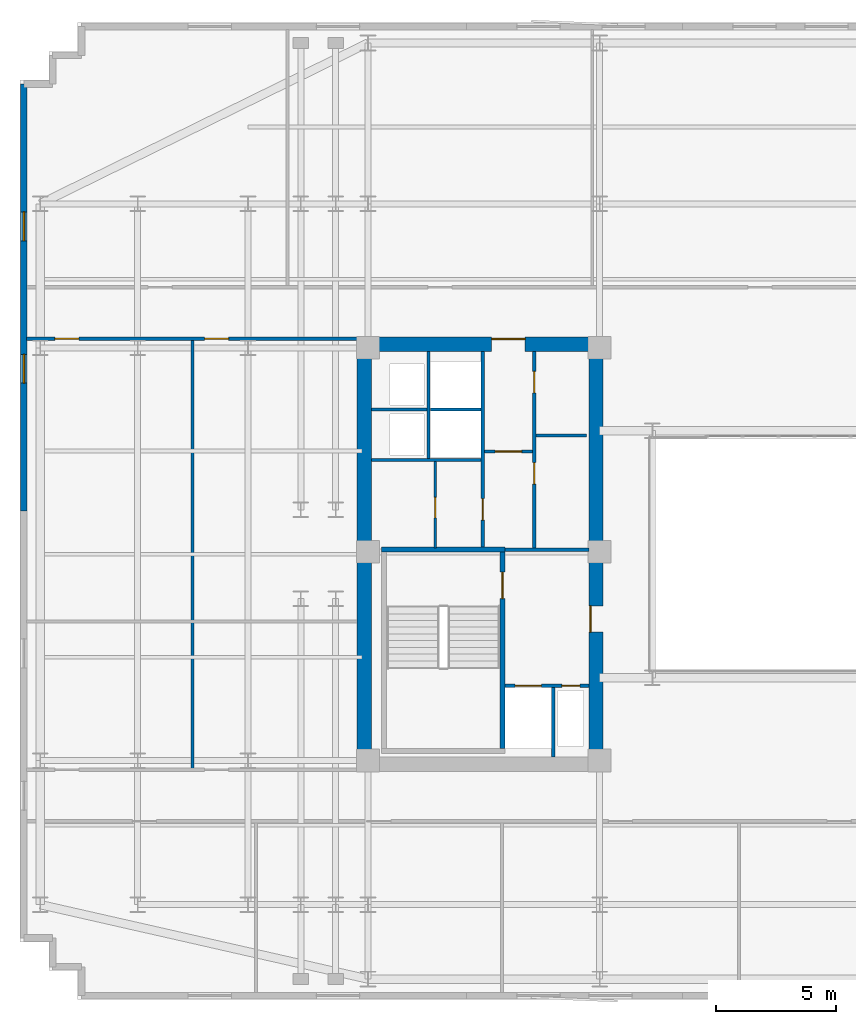
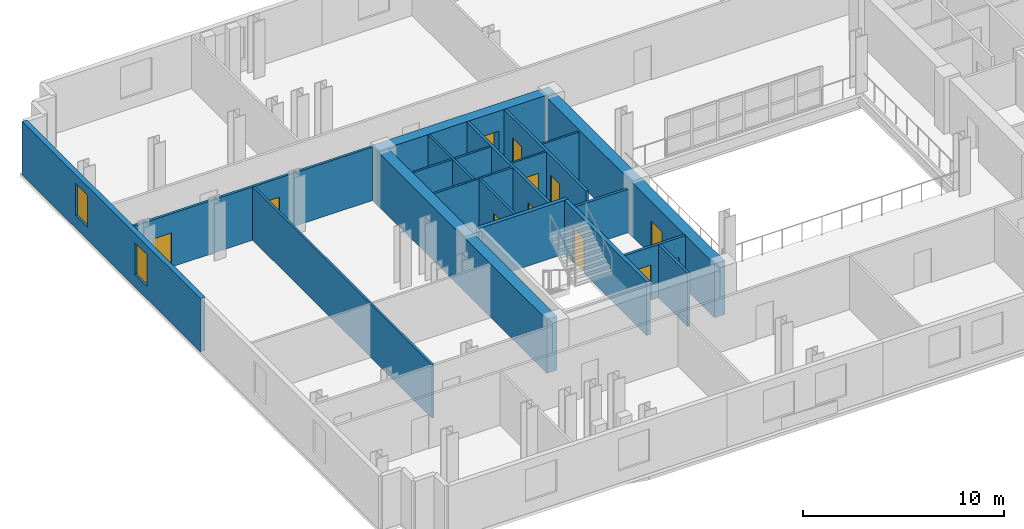
# One storey, part 7 of 12: 20 walls, 12 doors, 2 windows, 14 openings.
"""IFC4 building model written with IfcOpenShell, lengths in metres."""

from ifc_helpers import new_model, si_unit, direction, frame, frame_2d, origin, place, context, subcontext, project, spatial, rectangle, extrude, material, layer, layer_set, type_object, element, fill, save


model = new_model("IFC4")

# Units and contexts
model_context = context("Model", 3, precision=1e-05, world=origin(), true_north=direction((0.0, 1.0)))
body_context = subcontext(model_context, "Body", "Model", "MODEL_VIEW")
ifc_project = project(units=[si_unit("LENGTHUNIT", "METRE"), si_unit("AREAUNIT", "SQUARE_METRE"), si_unit("VOLUMEUNIT", "CUBIC_METRE"), si_unit("PLANEANGLEUNIT", "RADIAN"), si_unit("MASSUNIT", "GRAM", prefix="KILO")], contexts=[model_context])

# Site, building, storey
site_placement = place(None, origin())
site = spatial("IfcSite", under=ifc_project, at=site_placement, CompositionType="ELEMENT")
building_placement = place(site_placement, origin())
building = spatial("IfcBuilding", under=site, at=building_placement, Name="Velakula Bourse", CompositionType="ELEMENT")
storey_placement = place(building_placement, frame((0.0, 0.0, 134.64990234375)))
storey = spatial("IfcBuildingStorey", under=building, at=storey_placement, Name="L36", CompositionType="ELEMENT", Elevation=134.64990234375)

# Wall, opening, door
ifc_material_1 = material(Name="Concrete M50 (fck 50 MPa)", Category="concrete")
ifc_layer_1 = layer(ifc_material_1, 0.2099609375, Name="Concrete M50 (fck 50 MPa)", Category="concrete")
ifc_layer_set_1 = layer_set([ifc_layer_1], Name="Concrete M50 (fck 50 MPa)")
wall_type_1 = type_object("IfcWallType", Name="WL-CORE-210", PredefinedType="SHEAR", material=ifc_layer_set_1)
wall_1_placement = place(storey_placement, frame((-12.9951171875, -8.10009765625, 0.0), z_axis=(0.0, 0.0, 1.0), x_axis=(0.0, 1.0, 0.0)))
wall_1 = element("IfcWall", 1, at=wall_1_placement, inside=storey, type_object=wall_type_1, Name="L36 Core W Stairwell Shear Wall IN", PredefinedType="SHEAR", context=body_context, shape_type="SweptSolid", body=[
    extrude(rectangle(XDim=8.2001953125, YDim=0.2099609375, at=frame_2d((4.10009765625, 0.0))), origin(), (0.0, 0.0, 1.0), 3.27001953125),
])
opening_1_placement = place(wall_1_placement, frame((6.25, 0.0, 0.0)))
opening_1 = element("IfcOpeningElement", 2, at=opening_1_placement, cuts=wall_1, Name="Opening D-STW1", PredefinedType="OPENING", context=body_context, shape_type="SweptSolid", body=[
    extrude(rectangle(XDim=1.10009765625, YDim=2.14990234375, at=frame_2d((0.550048828125, 1.074951171875))), frame((0.0, 0.114990234375, 0.0), z_axis=(0.0, -1.0, 0.0), x_axis=(1.0, 0.0, 0.0)), (0.0, 0.0, 1.0), 0.22998046875),
])
ifc_material_2 = material(Name="Galvanised painted hollow steel fire door", Category="steel")
door_type_1 = type_object("IfcDoorType", Name="DR-FD120-1100x2150", OperationType="NOTDEFINED", PredefinedType="DOOR", material=ifc_material_2)
door_1_placement = place(opening_1_placement, origin())
door_1 = element("IfcDoor", 3, at=door_1_placement, inside=storey, type_object=door_type_1, Name="L36 Stair ST-W1 Fire Door", OperationType="SINGLE_SWING_LEFT", OverallHeight=2.14990234375, OverallWidth=1.10009765625, PredefinedType="DOOR", context=body_context, shape_type="SweptSolid", body=[
    extrude(rectangle(XDim=1.10009765625, YDim=2.14990234375, at=frame_2d((0.550048828125, 1.074951171875))), frame((0.0, 0.02490234375, 0.0), z_axis=(0.0, -1.0, 0.0), x_axis=(1.0, 0.0, 0.0)), (0.0, 0.0, 1.0), 0.050048828125),
])
fill(opening_1, door_1)

# Wall
wall_2_placement = place(storey_placement, frame((-12.889892578125, 0.205078125, 0.0), z_axis=(0.0, 0.0, 1.0), x_axis=(-1.0, 0.0, 0.0)))
element("IfcWall", 4, at=wall_2_placement, inside=storey, type_object=wall_type_1, Name="L36 Core W Stairwell Shear Wall N", PredefinedType="SHEAR", context=body_context, shape_type="SweptSolid", body=[
    extrude(rectangle(XDim=5.14013671875, YDim=0.2099609375, at=frame_2d((2.570068359375, 0.0))), origin(), (0.0, 0.0, 1.0), 3.27001953125),
])

# Wall, opening, door
ifc_material_3 = material(Name="Concrete M70 (fck 70 MPa)", Category="concrete")
ifc_layer_2 = layer(ifc_material_3, 0.60009765625, Name="Concrete M70 (fck 70 MPa)", Category="concrete")
ifc_layer_set_2 = layer_set([ifc_layer_2], Name="Concrete M70 (fck 70 MPa)")
wall_type_2 = type_object("IfcWallType", Name="WL-CORE-600", PredefinedType="SHEAR", material=ifc_layer_set_2)
wall_3_placement = place(storey_placement, frame((-19.050048828125, 8.75, 0.0), z_axis=(0.0, 0.0, 1.0), x_axis=(1.0, 0.0, 0.0)))
wall_3 = element("IfcWall", 5, at=wall_3_placement, inside=storey, type_object=wall_type_2, Name="L36 Core W Shear Wall N", PredefinedType="SHEAR", context=body_context, shape_type="SweptSolid", body=[
    extrude(rectangle(XDim=10.25, YDim=0.60009765625, at=frame_2d((5.125, 0.0))), origin(), (0.0, 0.0, 1.0), 3.27001953125),
])
opening_2_placement = place(wall_3_placement, frame((5.60009765625, 0.0, 0.0)))
opening_2 = element("IfcOpeningElement", 6, at=opening_2_placement, cuts=wall_3, Name="Opening D-LLW", PredefinedType="OPENING", context=body_context, shape_type="SweptSolid", body=[
    extrude(rectangle(XDim=1.39990234375, YDim=2.050048828125, at=frame_2d((0.699951171875, 1.02490234375))), frame((0.0, 0.31005859375, 0.0), z_axis=(0.0, -1.0, 0.0), x_axis=(1.0, 0.0, 0.0)), (0.0, 0.0, 1.0), 0.6201171875),
])
ifc_material_4 = material(Name="Fire-rated hardwood flush architectural door", Category="wood")
door_type_2 = type_object("IfcDoorType", Name="DR-DBL-FD60-1400", OperationType="DOUBLE_DOOR_SINGLE_SWING", PredefinedType="DOOR", material=ifc_material_4)
door_2_placement = place(opening_2_placement, origin())
door_2 = element("IfcDoor", 7, at=door_2_placement, inside=storey, type_object=door_type_2, Name="L36 Core W Lift Lobby Corridor Double Door", OperationType="DOUBLE_DOOR_SINGLE_SWING", OverallHeight=2.050048828125, OverallWidth=1.39990234375, PredefinedType="DOOR", context=body_context, shape_type="SweptSolid", body=[
    extrude(rectangle(XDim=1.39990234375, YDim=2.050048828125, at=frame_2d((0.699951171875, 1.02490234375))), frame((0.0, 0.2451171875, 0.0), z_axis=(0.0, -1.0, 0.0), x_axis=(1.0, 0.0, 0.0)), (0.0, 0.0, 1.0), 0.050048828125),
])
fill(opening_2, door_2)

# Wall
wall_4_placement = place(storey_placement, frame((-18.75, -8.449951171875, 0.0), z_axis=(0.0, 0.0, 1.0), x_axis=(0.0, 1.0, 0.0)))
element("IfcWall", 8, at=wall_4_placement, inside=storey, type_object=wall_type_2, Name="L36 Core W Shear Wall W", PredefinedType="SHEAR", context=body_context, shape_type="SweptSolid", body=[
    extrude(rectangle(XDim=16.89990234375, YDim=0.60009765625, at=frame_2d((8.449951171875, 0.0))), origin(), (0.0, 0.0, 1.0), 3.27001953125),
])

# Wall, opening, door
wall_5_placement = place(storey_placement, frame((-9.10009765625, -8.449951171875, 0.0), z_axis=(0.0, 0.0, 1.0), x_axis=(0.0, 1.0, 0.0)))
wall_5 = element("IfcWall", 9, at=wall_5_placement, inside=storey, type_object=wall_type_2, Name="L36 Core W Shear Wall E", PredefinedType="SHEAR", context=body_context, shape_type="SweptSolid", body=[
    extrude(rectangle(XDim=16.89990234375, YDim=0.60009765625, at=frame_2d((8.449951171875, 0.0))), origin(), (0.0, 0.0, 1.0), 3.27001953125),
])
opening_3_placement = place(wall_5_placement, frame((5.199951171875, 0.0, 0.0)))
opening_3 = element("IfcOpeningElement", 10, at=opening_3_placement, cuts=wall_5, Name="Opening D-FLW", PredefinedType="OPENING", context=body_context, shape_type="SweptSolid", body=[
    extrude(rectangle(XDim=1.10009765625, YDim=2.080078125, at=frame_2d((0.550048828125, 1.0400390625))), frame((0.0, 0.31005859375, 0.0), z_axis=(0.0, -1.0, 0.0), x_axis=(1.0, 0.0, 0.0)), (0.0, 0.0, 1.0), 0.6201171875),
])
door_type_3 = type_object("IfcDoorType", Name="DR-FD120-1100", OperationType="NOTDEFINED", PredefinedType="DOOR", material=ifc_material_2)
door_3_placement = place(opening_3_placement, origin())
door_3 = element("IfcDoor", 11, at=door_3_placement, inside=storey, type_object=door_type_3, Name="L36 Firefighting Lobby W Corridor Fire Door", OperationType="SINGLE_SWING_LEFT", OverallHeight=2.080078125, OverallWidth=1.10009765625, PredefinedType="DOOR", context=body_context, shape_type="SweptSolid", body=[
    extrude(rectangle(XDim=1.10009765625, YDim=2.080078125, at=frame_2d((0.550048828125, 1.0400390625))), frame((0.0, 0.2548828125, 0.0), z_axis=(0.0, -1.0, 0.0), x_axis=(1.0, 0.0, 0.0)), (0.0, 0.0, 1.0), 0.050048828125),
])
fill(opening_3, door_3)

# Wall, openings, windows
ifc_material_5 = material(Name="Red kilned clay facing brick masonry", Category="masonry")
ifc_layer_3 = layer(ifc_material_5, 0.280029296875, Name="Red kilned clay facing brick masonry", Category="masonry")
ifc_layer_set_3 = layer_set([ifc_layer_3], Name="Red kilned clay facing brick masonry")
wall_type_3 = type_object("IfcWallType", Name="WL-EXT-BRK-280", PredefinedType="STANDARD", material=ifc_layer_set_3)
wall_6_placement = place(storey_placement, frame((-32.93994140625, 1.800048828125, 0.0), z_axis=(0.0, 0.0, 1.0), x_axis=(0.0, 1.0, 0.0)))
wall_6 = element("IfcWall", 12, at=wall_6_placement, inside=storey, type_object=wall_type_3, Name="L36 W Brick End Wall W2", PredefinedType="STANDARD", context=body_context, shape_type="SweptSolid", body=[
    extrude(rectangle(XDim=17.7900390625, YDim=0.280029296875, at=frame_2d((8.89501953125, 0.0))), origin(), (0.0, 0.0, 1.0), 3.25),
])
opening_4_placement = place(wall_6_placement, frame((5.330078125, 0.0, 0.760009765625)))
opening_4 = element("IfcOpeningElement", 13, at=opening_4_placement, cuts=wall_6, Name="Opening W-04", PredefinedType="OPENING", context=body_context, shape_type="SweptSolid", body=[
    extrude(rectangle(XDim=1.199951171875, YDim=1.949951171875, at=frame_2d((0.60009765625, 0.97509765625))), frame((0.0, 0.14990234375, 0.0), z_axis=(0.0, -1.0, 0.0), x_axis=(1.0, 0.0, 0.0)), (0.0, 0.0, 1.0), 0.300048828125),
])
opening_5_placement = place(wall_6_placement, frame((11.260009765625, 0.0, 0.760009765625)))
opening_5 = element("IfcOpeningElement", 14, at=opening_5_placement, cuts=wall_6, Name="Opening W-04", PredefinedType="OPENING", context=body_context, shape_type="SweptSolid", body=[
    extrude(rectangle(XDim=1.199951171875, YDim=1.949951171875, at=frame_2d((0.60009765625, 0.97509765625))), frame((0.0, 0.14990234375, 0.0), z_axis=(0.0, -1.0, 0.0), x_axis=(1.0, 0.0, 0.0)), (0.0, 0.0, 1.0), 0.300048828125),
])
ifc_material_6 = material(Name="Double-glazed solar-control Low-E glass", Category="glass")
window_type = type_object("IfcWindowType", Name="WIN-TWR-1200x2100", PartitioningType="SINGLE_PANEL", PredefinedType="WINDOW", material=ifc_material_6)
window_1_placement = place(opening_4_placement, origin())
window_1 = element("IfcWindow", 15, at=window_1_placement, inside=storey, type_object=window_type, Name="L36 Deep-Set Recessed Window 1", OverallHeight=1.949951171875, OverallWidth=1.199951171875, PartitioningType="SINGLE_PANEL", PredefinedType="WINDOW", context=body_context, shape_type="SweptSolid", body=[
    extrude(rectangle(XDim=1.199951171875, YDim=1.949951171875, at=frame_2d((0.60009765625, 0.97509765625))), frame((0.0, 0.030029296875, 0.0), z_axis=(0.0, -1.0, 0.0), x_axis=(1.0, 0.0, 0.0)), (0.0, 0.0, 1.0), 0.06005859375),
])
fill(opening_4, window_1)
window_2_placement = place(opening_5_placement, origin())
window_2 = element("IfcWindow", 16, at=window_2_placement, inside=storey, type_object=window_type, Name="L36 Deep-Set Recessed Window 2", OverallHeight=1.949951171875, OverallWidth=1.199951171875, PartitioningType="SINGLE_PANEL", PredefinedType="WINDOW", context=body_context, shape_type="SweptSolid", body=[
    extrude(rectangle(XDim=1.199951171875, YDim=1.949951171875, at=frame_2d((0.60009765625, 0.97509765625))), frame((0.0, 0.030029296875, 0.0), z_axis=(0.0, -1.0, 0.0), x_axis=(1.0, 0.0, 0.0)), (0.0, 0.0, 1.0), 0.06005859375),
])
fill(opening_5, window_2)

# Wall, opening, door
ifc_material_7 = material(Name="Fire-rated double-layer gypsum drywall partition", Category="gypsum")
ifc_layer_4 = layer(ifc_material_7, 0.1201171875, Name="Fire-rated double-layer gypsum drywall partition", Category="gypsum")
ifc_layer_set_4 = layer_set([ifc_layer_4], Name="Fire-rated double-layer gypsum drywall partition")
wall_type_4 = type_object("IfcWallType", Name="WL-PART-120", PredefinedType="STANDARD", material=ifc_layer_set_4)
wall_7_placement = place(storey_placement, frame((-13.75, 4.280029296875, 0.0), z_axis=(0.0, 0.0, 1.0), x_axis=(1.0, 0.0, 0.0)))
wall_7 = element("IfcWall", 17, at=wall_7_placement, inside=storey, type_object=wall_type_4, Name="L36 Interior Partition WL-CRW-L36-LL-K2", PredefinedType="STANDARD", context=body_context, shape_type="SweptSolid", body=[
    extrude(rectangle(XDim=2.0, YDim=0.1201171875, at=frame_2d((1.0, 0.0))), origin(), (0.0, 0.0, 1.0), 3.25),
])
opening_6_placement = place(wall_7_placement, frame((0.449951171875, 0.0, 0.0)))
opening_6 = element("IfcOpeningElement", 18, at=opening_6_placement, cuts=wall_7, Name="Opening D-LK2", PredefinedType="OPENING", context=body_context, shape_type="SweptSolid", body=[
    extrude(rectangle(XDim=1.10009765625, YDim=2.10009765625, at=frame_2d((0.550048828125, 1.050048828125))), frame((0.0, 0.070068359375, 0.0), z_axis=(0.0, -1.0, 0.0), x_axis=(1.0, 0.0, 0.0)), (0.0, 0.0, 1.0), 0.14013671875),
])
door_type_4 = type_object("IfcDoorType", Name="DR-FD60-1100x2100", OperationType="NOTDEFINED", PredefinedType="DOOR", material=ifc_material_4)
door_4_placement = place(opening_6_placement, origin())
door_4 = element("IfcDoor", 19, at=door_4_placement, inside=storey, type_object=door_type_4, Name="L36 Core W Lift Lobby Zone Door", OperationType="SINGLE_SWING_RIGHT", OverallHeight=2.10009765625, OverallWidth=1.10009765625, PredefinedType="DOOR", context=body_context, shape_type="SweptSolid", body=[
    extrude(rectangle(XDim=1.10009765625, YDim=2.10009765625, at=frame_2d((0.550048828125, 1.050048828125))), frame((0.0, 0.02490234375, 0.0), z_axis=(0.0, -1.0, 0.0), x_axis=(1.0, 0.0, 0.0)), (0.0, 0.0, 1.0), 0.050048828125),
])
fill(opening_6, door_4)

# Walls
wall_8_placement = place(storey_placement, frame((-11.60009765625, 4.949951171875, 0.0), z_axis=(0.0, 0.0, 1.0), x_axis=(1.0, 0.0, 0.0)))
element("IfcWall", 20, at=wall_8_placement, inside=storey, type_object=wall_type_4, Name="L36 Interior Partition WL-CRW-L36-RCDIV", PredefinedType="STANDARD", context=body_context, shape_type="SweptSolid", body=[
    extrude(rectangle(XDim=2.10009765625, YDim=0.1201171875, at=frame_2d((1.050048828125, 0.0))), origin(), (0.0, 0.0, 1.0), 3.25),
])
wall_9_placement = place(storey_placement, frame((-18.449951171875, 3.919921875, 0.0), z_axis=(0.0, 0.0, 1.0), x_axis=(1.0, 0.0, 0.0)))
element("IfcWall", 21, at=wall_9_placement, inside=storey, type_object=wall_type_4, Name="L36 Interior Partition WL-CRW-L36-HI-S", PredefinedType="STANDARD", context=body_context, shape_type="SweptSolid", body=[
    extrude(rectangle(XDim=4.550048828125, YDim=0.1201171875, at=frame_2d((2.27490234375, 0.0))), origin(), (0.0, 0.0, 1.0), 3.25),
])
wall_10_placement = place(storey_placement, frame((-18.449951171875, 6.030029296875, 0.0), z_axis=(0.0, 0.0, 1.0), x_axis=(1.0, 0.0, 0.0)))
element("IfcWall", 22, at=wall_10_placement, inside=storey, type_object=wall_type_4, Name="L36 Interior Partition WL-CRW-L36-RIS-MID", PredefinedType="STANDARD", context=body_context, shape_type="SweptSolid", body=[
    extrude(rectangle(XDim=2.300048828125, YDim=0.1201171875, at=frame_2d((1.14990234375, 0.0))), origin(), (0.0, 0.0, 1.0), 3.25),
])
wall_11_placement = place(storey_placement, frame((-16.074951171875, 3.97998046875, 0.0), z_axis=(0.0, 0.0, 1.0), x_axis=(0.0, 1.0, 0.0)))
element("IfcWall", 23, at=wall_11_placement, inside=storey, type_object=wall_type_4, Name="L36 Interior Partition WL-CRW-L36-RIS-F", PredefinedType="STANDARD", context=body_context, shape_type="SweptSolid", body=[
    extrude(rectangle(XDim=4.469970703125, YDim=0.1201171875, at=frame_2d((2.23486328125, 0.0))), origin(), (0.0, 0.0, 1.0), 3.25),
])
wall_12_placement = place(storey_placement, frame((-16.0, 6.030029296875, 0.0), z_axis=(0.0, 0.0, 1.0), x_axis=(1.0, 0.0, 0.0)))
element("IfcWall", 24, at=wall_12_placement, inside=storey, type_object=wall_type_4, Name="L36 Interior Partition WL-CRW-L36-HI-DIV", PredefinedType="STANDARD", context=body_context, shape_type="SweptSolid", body=[
    extrude(rectangle(XDim=2.10009765625, YDim=0.1201171875, at=frame_2d((1.050048828125, 0.0))), origin(), (0.0, 0.0, 1.0), 3.25),
])

# Wall, opening, door
wall_13_placement = place(storey_placement, frame((-15.800048828125, 0.27001953125, 0.0), z_axis=(0.0, 0.0, 1.0), x_axis=(0.0, 1.0, 0.0)))
wall_13 = element("IfcWall", 25, at=wall_13_placement, inside=storey, type_object=wall_type_4, Name="L36 Interior Partition WL-CRW-L36-K2", PredefinedType="STANDARD", context=body_context, shape_type="SweptSolid", body=[
    extrude(rectangle(XDim=3.590087890625, YDim=0.1201171875, at=frame_2d((1.794921875, 0.0))), origin(), (0.0, 0.0, 1.0), 3.25),
])
opening_7_placement = place(wall_13_placement, frame((1.25, 0.0, 0.0)))
opening_7 = element("IfcOpeningElement", 26, at=opening_7_placement, cuts=wall_13, Name="Opening D-CE1", PredefinedType="OPENING", context=body_context, shape_type="SweptSolid", body=[
    extrude(rectangle(XDim=0.85009765625, YDim=2.050048828125, at=frame_2d((0.425048828125, 1.02490234375))), frame((0.0, 0.070068359375, 0.0), z_axis=(0.0, -1.0, 0.0), x_axis=(1.0, 0.0, 0.0)), (0.0, 0.0, 1.0), 0.14013671875),
])
door_type_5 = type_object("IfcDoorType", Name="DR-INT-850", OperationType="NOTDEFINED", PredefinedType="DOOR", material=ifc_material_4)
door_5_placement = place(opening_7_placement, origin())
door_5 = element("IfcDoor", 27, at=door_5_placement, inside=storey, type_object=door_type_5, Name="L36 Core Equipment Store Door", OperationType="SINGLE_SWING_RIGHT", OverallHeight=2.050048828125, OverallWidth=0.85009765625, PredefinedType="DOOR", context=body_context, shape_type="SweptSolid", body=[
    extrude(rectangle(XDim=0.85009765625, YDim=2.050048828125, at=frame_2d((0.425048828125, 1.02490234375))), frame((0.0, 0.02490234375, 0.0), z_axis=(0.0, -1.0, 0.0), x_axis=(1.0, 0.0, 0.0)), (0.0, 0.0, 1.0), 0.050048828125),
])
fill(opening_7, door_5)

# Wall
wall_14_placement = place(storey_placement, frame((-25.905029296875, -8.97998046875, 0.0), z_axis=(0.0, 0.0, 1.0), x_axis=(0.0, 1.0, 0.0)))
element("IfcWall", 28, at=wall_14_placement, inside=storey, type_object=wall_type_4, Name="L36 Interior Partition WL-INT-L36-W-V1", PredefinedType="STANDARD", context=body_context, shape_type="SweptSolid", body=[
    extrude(rectangle(XDim=17.9599609375, YDim=0.1201171875, at=frame_2d((8.97998046875, 0.0))), origin(), (0.0, 0.0, 1.0), 3.25),
])

# Wall, openings, doors
ifc_layer_5 = layer(ifc_material_7, 0.139892578125, Name="Fire-rated double-layer gypsum drywall partition", Category="gypsum")
ifc_layer_set_5 = layer_set([ifc_layer_5], Name="Fire-rated double-layer gypsum drywall partition")
wall_type_5 = type_object("IfcWallType", Name="WL-PART-140", PredefinedType="STANDARD", material=ifc_layer_set_5)
wall_15_placement = place(storey_placement, frame((-32.820068359375, 8.97998046875, 0.0), z_axis=(0.0, 0.0, 1.0), x_axis=(1.0, 0.0, 0.0)))
wall_15 = element("IfcWall", 29, at=wall_15_placement, inside=storey, type_object=wall_type_5, Name="L36 Interior Partition WL-INT-L36-W-NC", PredefinedType="STANDARD", context=body_context, shape_type="SweptSolid", body=[
    extrude(rectangle(XDim=13.77001953125, YDim=0.139892578125, at=frame_2d((6.885009765625, 0.0))), origin(), (0.0, 0.0, 1.0), 3.25),
])
opening_8_placement = place(wall_15_placement, frame((1.17138671875, 0.0, 0.0)))
opening_8 = element("IfcOpeningElement", 30, at=opening_8_placement, cuts=wall_15, Name="Opening D-OF1", PredefinedType="OPENING", context=body_context, shape_type="SweptSolid", body=[
    extrude(rectangle(XDim=1.0, YDim=2.080078125, at=frame_2d((0.5, 1.0400390625))), frame((0.0, 0.079833984375, 0.0), z_axis=(0.0, -1.0, 0.0), x_axis=(1.0, 0.0, 0.0)), (0.0, 0.0, 1.0), 0.159912109375),
])
opening_9_placement = place(wall_15_placement, frame((7.4130859375, 0.0, 0.0)))
opening_9 = element("IfcOpeningElement", 31, at=opening_9_placement, cuts=wall_15, Name="Opening D-OF1", PredefinedType="OPENING", context=body_context, shape_type="SweptSolid", body=[
    extrude(rectangle(XDim=1.0, YDim=2.080078125, at=frame_2d((0.5, 1.0400390625))), frame((0.0, 0.079833984375, 0.0), z_axis=(0.0, -1.0, 0.0), x_axis=(1.0, 0.0, 0.0)), (0.0, 0.0, 1.0), 0.159912109375),
])
door_type_6 = type_object("IfcDoorType", Name="DR-OFF-1000", OperationType="NOTDEFINED", PredefinedType="DOOR", material=ifc_material_4)
door_6_placement = place(opening_8_placement, origin())
door_6 = element("IfcDoor", 32, at=door_6_placement, inside=storey, type_object=door_type_6, Name="L36 Issuer Relations Office Door", OperationType="SINGLE_SWING_LEFT", OverallHeight=2.080078125, OverallWidth=1.0, PredefinedType="DOOR", context=body_context, shape_type="SweptSolid", body=[
    extrude(rectangle(XDim=1.0, YDim=2.080078125, at=frame_2d((0.5, 1.0400390625))), frame((0.0, 0.02490234375, 0.0), z_axis=(0.0, -1.0, 0.0), x_axis=(1.0, 0.0, 0.0)), (0.0, 0.0, 1.0), 0.050048828125),
])
fill(opening_8, door_6)
door_7_placement = place(opening_9_placement, origin())
door_7 = element("IfcDoor", 33, at=door_7_placement, inside=storey, type_object=door_type_6, Name="L36 Clearing Committee Room Door", OperationType="SINGLE_SWING_RIGHT", OverallHeight=2.080078125, OverallWidth=1.0, PredefinedType="DOOR", context=body_context, shape_type="SweptSolid", body=[
    extrude(rectangle(XDim=1.0, YDim=2.080078125, at=frame_2d((0.5, 1.0400390625))), frame((0.0, 0.02490234375, 0.0), z_axis=(0.0, -1.0, 0.0), x_axis=(1.0, 0.0, 0.0)), (0.0, 0.0, 1.0), 0.050048828125),
])
fill(opening_9, door_7)

ifc_material_8 = material(Name="Autoclaved aerated concrete blockwork masonry", Category="masonry")
ifc_layer_6 = layer(ifc_material_8, 0.14990234375, Name="Autoclaved aerated concrete blockwork masonry", Category="masonry")
ifc_layer_set_6 = layer_set([ifc_layer_6], Name="Autoclaved aerated concrete blockwork masonry")
wall_type_6 = type_object("IfcWallType", Name="WL-SHAFT-150", PredefinedType="STANDARD", material=ifc_layer_set_6)
wall_16_placement = place(storey_placement, frame((-12.89501953125, -5.47509765625, 0.0), z_axis=(0.0, 0.0, 1.0), x_axis=(1.0, 0.0, 0.0)))
wall_16 = element("IfcWall", 34, at=wall_16_placement, inside=storey, type_object=wall_type_6, Name="L36 Interior Partition WL-CRW-L36-FFL-N", PredefinedType="STANDARD", context=body_context, shape_type="SweptSolid", body=[
    extrude(rectangle(XDim=3.4951171875, YDim=0.14990234375, at=frame_2d((1.74755859375, 0.0))), origin(), (0.0, 0.0, 1.0), 3.25),
])
opening_10_placement = place(wall_16_placement, frame((0.419921875, 0.0, 0.0)))
opening_10 = element("IfcOpeningElement", 35, at=opening_10_placement, cuts=wall_16, Name="Opening LD-FFL-1", PredefinedType="OPENING", context=body_context, shape_type="SweptSolid", body=[
    extrude(rectangle(XDim=1.10009765625, YDim=2.14990234375, at=frame_2d((0.550048828125, 1.074951171875))), frame((0.0, 0.0849609375, 0.0), z_axis=(0.0, -1.0, 0.0), x_axis=(1.0, 0.0, 0.0)), (0.0, 0.0, 1.0), 0.169921875),
])
opening_11_placement = place(wall_16_placement, frame((2.3701171875, 0.0, 0.0)))
opening_11 = element("IfcOpeningElement", 36, at=opening_11_placement, cuts=wall_16, Name="Opening D-RS1", PredefinedType="OPENING", context=body_context, shape_type="SweptSolid", body=[
    extrude(rectangle(XDim=0.75, YDim=2.050048828125, at=frame_2d((0.375, 1.02490234375))), frame((0.0, 0.0849609375, 0.0), z_axis=(0.0, -1.0, 0.0), x_axis=(1.0, 0.0, 0.0)), (0.0, 0.0, 1.0), 0.169921875),
])
door_type_7 = type_object("IfcDoorType", Name="DR-RISER-800", OperationType="NOTDEFINED", PredefinedType="DOOR", material=ifc_material_2)
door_8_placement = place(opening_11_placement, origin())
door_8 = element("IfcDoor", 37, at=door_8_placement, inside=storey, type_object=door_type_7, Name="L36 Fire Riser Access Door", OperationType="SINGLE_SWING_LEFT", OverallHeight=2.050048828125, OverallWidth=0.75, PredefinedType="DOOR", context=body_context, shape_type="SweptSolid", body=[
    extrude(rectangle(XDim=0.75, YDim=2.050048828125, at=frame_2d((0.375, 1.02490234375))), frame((0.0, 0.02490234375, 0.0), z_axis=(0.0, -1.0, 0.0), x_axis=(1.0, 0.0, 0.0)), (0.0, 0.0, 1.0), 0.050048828125),
])
fill(opening_11, door_8)
ifc_material_9 = material(Name="Brushed grade 316 stainless steel", Category="steel")
door_type_8 = type_object("IfcDoorType", Name="DR-SLIDE-FFL-1100", OperationType="DOUBLE_DOOR_SLIDING", PredefinedType="DOOR", material=ifc_material_9)
door_9_placement = place(opening_10_placement, origin())
door_9 = element("IfcDoor", 38, at=door_9_placement, inside=storey, type_object=door_type_8, Name="L36 Firefighting Lift FFL-1 Sliding Landing Door", OperationType="DOUBLE_DOOR_SLIDING", OverallHeight=2.14990234375, OverallWidth=1.10009765625, PredefinedType="DOOR", context=body_context, shape_type="SweptSolid", body=[
    extrude(rectangle(XDim=1.10009765625, YDim=2.14990234375, at=frame_2d((0.550048828125, 1.074951171875))), frame((0.0, 0.02490234375, 0.0), z_axis=(0.0, -1.0, 0.0), x_axis=(1.0, 0.0, 0.0)), (0.0, 0.0, 1.0), 0.050048828125),
])
fill(opening_10, door_9)

# Walls
wall_17_placement = place(storey_placement, frame((-10.875, -8.449951171875, 0.0), z_axis=(0.0, 0.0, 1.0), x_axis=(0.0, 1.0, 0.0)))
element("IfcWall", 39, at=wall_17_placement, inside=storey, type_object=wall_type_6, Name="L36 Interior Partition WL-CRW-L36-FR-DIV", PredefinedType="STANDARD", context=body_context, shape_type="SweptSolid", body=[
    extrude(rectangle(XDim=2.89990234375, YDim=0.14990234375, at=frame_2d((1.449951171875, 0.0))), origin(), (0.0, 0.0, 1.0), 3.25),
])
wall_18_placement = place(storey_placement, frame((-12.889892578125, 0.18994140625, 0.0), z_axis=(0.0, 0.0, 1.0), x_axis=(1.0, 0.0, 0.0)))
element("IfcWall", 40, at=wall_18_placement, inside=storey, type_object=wall_type_6, Name="L36 Interior Partition WL-CRW-L36-FF-TOP", PredefinedType="STANDARD", context=body_context, shape_type="SweptSolid", body=[
    extrude(rectangle(XDim=3.489990234375, YDim=0.14990234375, at=frame_2d((1.7451171875, 0.0))), origin(), (0.0, 0.0, 1.0), 2.64501953125),
])

# Wall, openings, doors
wall_19_placement = place(storey_placement, frame((-11.675048828125, 0.27001953125, 0.0), z_axis=(0.0, 0.0, 1.0), x_axis=(0.0, 1.0, 0.0)))
wall_19 = element("IfcWall", 41, at=wall_19_placement, inside=storey, type_object=wall_type_6, Name="L36 Interior Partition WL-CRW-L36-BANK-F", PredefinedType="STANDARD", context=body_context, shape_type="SweptSolid", body=[
    extrude(rectangle(XDim=8.179931640625, YDim=0.14990234375, at=frame_2d((4.08984375, 0.0))), origin(), (0.0, 0.0, 1.0), 3.25),
])
opening_12_placement = place(wall_19_placement, frame((2.64990234375, 0.0, 0.0)))
opening_12 = element("IfcOpeningElement", 42, at=opening_12_placement, cuts=wall_19, Name="Opening D-RC1", PredefinedType="OPENING", context=body_context, shape_type="SweptSolid", body=[
    extrude(rectangle(XDim=0.89990234375, YDim=2.050048828125, at=frame_2d((0.449951171875, 1.02490234375))), frame((0.0, 0.0849609375, 0.0), z_axis=(0.0, -1.0, 0.0), x_axis=(1.0, 0.0, 0.0)), (0.0, 0.0, 1.0), 0.169921875),
])
opening_13_placement = place(wall_19_placement, frame((6.449951171875, 0.0, 0.0)))
opening_13 = element("IfcOpeningElement", 43, at=opening_13_placement, cuts=wall_19, Name="Opening D-RC1", PredefinedType="OPENING", context=body_context, shape_type="SweptSolid", body=[
    extrude(rectangle(XDim=0.89990234375, YDim=2.050048828125, at=frame_2d((0.449951171875, 1.02490234375))), frame((0.0, 0.0849609375, 0.0), z_axis=(0.0, -1.0, 0.0), x_axis=(1.0, 0.0, 0.0)), (0.0, 0.0, 1.0), 0.169921875),
])
door_type_9 = type_object("IfcDoorType", Name="DR-FD60-900", OperationType="NOTDEFINED", PredefinedType="DOOR", material=ifc_material_4)
door_10_placement = place(opening_12_placement, origin())
door_10 = element("IfcDoor", 44, at=door_10_placement, inside=storey, type_object=door_type_9, Name="L36 Reclaimed Archive Room Door", OperationType="SINGLE_SWING_RIGHT", OverallHeight=2.050048828125, OverallWidth=0.89990234375, PredefinedType="DOOR", context=body_context, shape_type="SweptSolid", body=[
    extrude(rectangle(XDim=0.89990234375, YDim=2.050048828125, at=frame_2d((0.449951171875, 1.02490234375))), frame((0.0, 0.02490234375, 0.0), z_axis=(0.0, -1.0, 0.0), x_axis=(1.0, 0.0, 0.0)), (0.0, 0.0, 1.0), 0.050048828125),
])
fill(opening_12, door_10)
door_11_placement = place(opening_13_placement, origin())
door_11 = element("IfcDoor", 45, at=door_11_placement, inside=storey, type_object=door_type_9, Name="L36 Reclaimed Registry Store Door", OperationType="SINGLE_SWING_LEFT", OverallHeight=2.050048828125, OverallWidth=0.89990234375, PredefinedType="DOOR", context=body_context, shape_type="SweptSolid", body=[
    extrude(rectangle(XDim=0.89990234375, YDim=2.050048828125, at=frame_2d((0.449951171875, 1.02490234375))), frame((0.0, 0.02490234375, 0.0), z_axis=(0.0, -1.0, 0.0), x_axis=(1.0, 0.0, 0.0)), (0.0, 0.0, 1.0), 0.050048828125),
])
fill(opening_13, door_11)

# Wall, opening, door
wall_20_placement = place(storey_placement, frame((-13.824951171875, 0.27001953125, 0.0), z_axis=(0.0, 0.0, 1.0), x_axis=(0.0, 1.0, 0.0)))
wall_20 = element("IfcWall", 46, at=wall_20_placement, inside=storey, type_object=wall_type_6, Name="L36 Interior Partition WL-CRW-L36-OUT-F", PredefinedType="STANDARD", context=body_context, shape_type="SweptSolid", body=[
    extrude(rectangle(XDim=8.179931640625, YDim=0.14990234375, at=frame_2d((4.08984375, 0.0))), origin(), (0.0, 0.0, 1.0), 3.25),
])
opening_14_placement = place(wall_20_placement, frame((1.14990234375, 0.0, 0.0)))
opening_14 = element("IfcOpeningElement", 47, at=opening_14_placement, cuts=wall_20, Name="Opening D-CP1", PredefinedType="OPENING", context=body_context, shape_type="SweptSolid", body=[
    extrude(rectangle(XDim=0.89990234375, YDim=2.050048828125, at=frame_2d((0.449951171875, 1.02490234375))), frame((0.0, 0.0849609375, 0.0), z_axis=(0.0, -1.0, 0.0), x_axis=(1.0, 0.0, 0.0)), (0.0, 0.0, 1.0), 0.169921875),
])
door_type_10 = type_object("IfcDoorType", Name="DR-INT-900", OperationType="NOTDEFINED", PredefinedType="DOOR", material=ifc_material_4)
door_12_placement = place(opening_14_placement, origin())
door_12 = element("IfcDoor", 48, at=door_12_placement, inside=storey, type_object=door_type_10, Name="L36 Core Tea Pantry Door", OperationType="SINGLE_SWING_RIGHT", OverallHeight=2.050048828125, OverallWidth=0.89990234375, PredefinedType="DOOR", context=body_context, shape_type="SweptSolid", body=[
    extrude(rectangle(XDim=0.89990234375, YDim=2.050048828125, at=frame_2d((0.449951171875, 1.02490234375))), frame((0.0, 0.02490234375, 0.0), z_axis=(0.0, -1.0, 0.0), x_axis=(1.0, 0.0, 0.0)), (0.0, 0.0, 1.0), 0.050048828125),
])
fill(opening_14, door_12)

save(model, "model.ifc")
